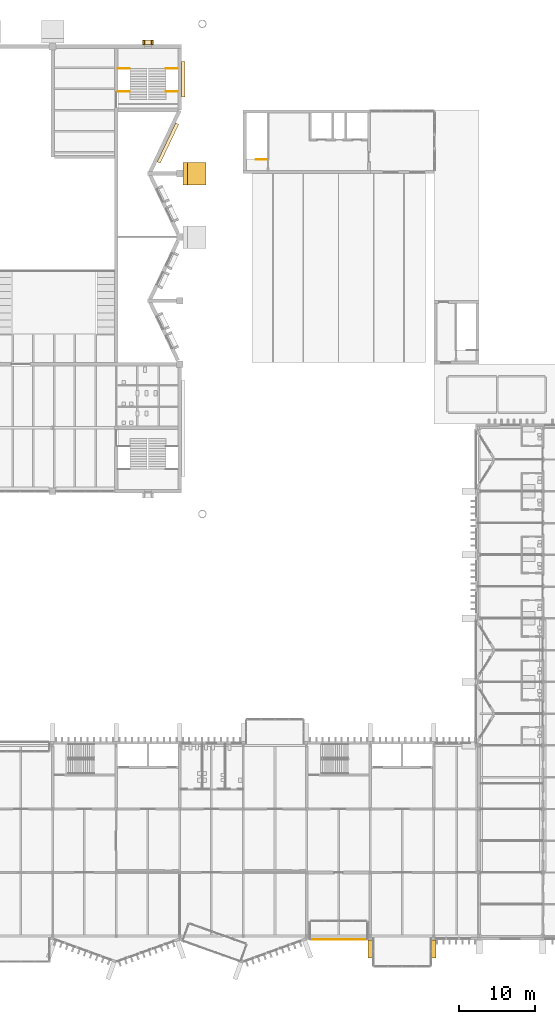
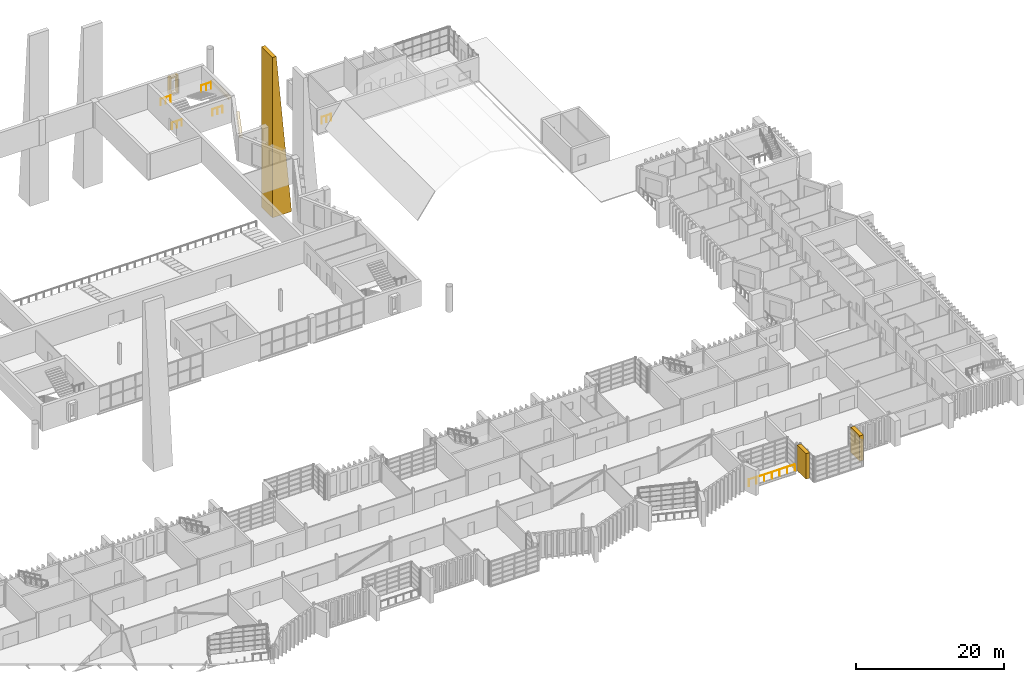
# One storey, part 96 of 100: 9 coverings, 6 railings.
"""IFC4 building model written with IfcOpenShell, lengths in metres."""

from ifc_helpers import new_model, si_unit, direction, frame, origin, origin_2d, place, context, subcontext, project, spatial, polyline, rectangle, circle, outline, extrude, material, type_object, element, save


model = new_model("IFC4")

# Units and contexts
model_context = context("Model", 3, precision=1e-05, world=origin(), true_north=direction((0.0, 1.0)))
body_context = subcontext(model_context, "Body", "Model", "MODEL_VIEW")
ifc_project = project(units=[si_unit("LENGTHUNIT", "METRE"), si_unit("AREAUNIT", "SQUARE_METRE"), si_unit("VOLUMEUNIT", "CUBIC_METRE"), si_unit("PLANEANGLEUNIT", "RADIAN"), si_unit("MASSUNIT", "GRAM", prefix="KILO")], contexts=[model_context])

# Site, building, storey
site_placement = place(None, origin())
site = spatial("IfcSite", under=ifc_project, at=site_placement, CompositionType="ELEMENT")
building_placement = place(site_placement, origin())
building = spatial("IfcBuilding", under=site, at=building_placement, Name="Cresset Court Congress Hotel", CompositionType="ELEMENT")
storey_placement = place(building_placement, frame((0.0, 0.0, 10.199951171875)))
storey = spatial("IfcBuildingStorey", under=building, at=storey_placement, Name="L02", CompositionType="ELEMENT", Elevation=10.199951171875)

# Railings
ifc_material_1 = material(Name="Steel and laminated glass", Category="steel")
railing_type_1 = type_object("IfcRailingType", Name="Guard 1100 steel and glass", PredefinedType="GUARDRAIL", material=ifc_material_1)
for number, where, name in (
    (1, (109.449951171875, 111.64990234375, 0.0), "Guard CC-C4L02a"),
    (2, (115.800048828125, 111.64990234375, 0.0), "Guard CC-C4L02b"),
    (3, (109.449951171875, 114.679931640625, 2.10009765625), "Guard CC-C4L02a"),
    (4, (115.800048828125, 114.679931640625, 2.10009765625), "Guard CC-C4L02b"),
):
    element("IfcRailing", number, at=place(storey_placement, frame(where)), inside=storey, type_object=railing_type_1, Name=name, PredefinedType="GUARDRAIL", context=body_context, shape_type="SweptSolid", body=[
        extrude(circle(Radius=0.02490234375, at=origin_2d()), frame((0.0, 0.0, 1.0751953125), z_axis=(1.0, 0.0, 0.0), x_axis=(0.0, 1.0, 0.0)), (0.0, 0.0, 1.0), 1.550048828125),
        extrude(circle(Radius=0.02001953125, at=origin_2d()), origin(), (0.0, 0.0, 1.0), 1.050048828125),
        extrude(circle(Radius=0.02001953125, at=origin_2d()), frame((0.77490234375, 0.0, 0.0)), (0.0, 0.0, 1.0), 1.050048828125),
        extrude(circle(Radius=0.02001953125, at=origin_2d()), frame((1.550048828125, 0.0, 0.0)), (0.0, 0.0, 1.0), 1.050048828125),
    ])
ifc_material_2 = material(Name="Steel and laminated glass", Category="steel")
railing_type_2 = type_object("IfcRailingType", Name="Guard 1100 steel and glass external", PredefinedType="GUARDRAIL", material=ifc_material_2)
railing_1_placement = place(storey_placement, frame((135.0, -0.449951171875, 0.0)))
element("IfcRailing", 5, at=railing_1_placement, inside=storey, type_object=railing_type_2, Name="Guard to recess S0219", PredefinedType="GUARDRAIL", context=body_context, shape_type="SweptSolid", body=[
    extrude(circle(Radius=0.02392578125, at=origin_2d()), frame((0.0, 0.0, 1.076171875), z_axis=(1.0, 0.0, 0.0), x_axis=(0.0, 1.0, 0.0)), (0.0, 0.0, 1.0), 7.199951171875),
    extrude(circle(Radius=0.02099609375, at=origin_2d()), origin(), (0.0, 0.0, 1.0), 1.052001953125),
    extrude(circle(Radius=0.02099609375, at=origin_2d()), frame((1.199951171875, 0.0, 0.0)), (0.0, 0.0, 1.0), 1.052001953125),
    extrude(circle(Radius=0.02099609375, at=origin_2d()), frame((2.39990234375, 0.0, 0.0)), (0.0, 0.0, 1.0), 1.052001953125),
    extrude(circle(Radius=0.02099609375, at=origin_2d()), frame((3.60009765625, 0.0, 0.0)), (0.0, 0.0, 1.0), 1.052001953125),
    extrude(circle(Radius=0.02099609375, at=origin_2d()), frame((4.800048828125, 0.0, 0.0)), (0.0, 0.0, 1.0), 1.052001953125),
    extrude(circle(Radius=0.02099609375, at=origin_2d()), frame((6.0, 0.0, 0.0)), (0.0, 0.0, 1.0), 1.052001953125),
    extrude(circle(Radius=0.02099609375, at=origin_2d()), frame((7.199951171875, 0.0, 0.0)), (0.0, 0.0, 1.0), 1.052001953125),
])

# Coverings
ifc_material_3 = material(Name="Precast concrete C50", Category="concrete")
covering_type_1 = type_object("IfcCoveringType", Name="Precast reveal band 450x400", PredefinedType="CLADDING", material=ifc_material_3)
covering_1_placement = place(storey_placement, frame((116.0498046875, 104.839599609375, 2.35009765625), z_axis=(0.0, 0.0, 1.0), x_axis=(-0.429932870312, -0.902860856957, 0.0)))
element("IfcCovering", 6, at=covering_1_placement, inside=storey, type_object=covering_type_1, Name="Reveal band E.L02.04a0.1", PredefinedType="CLADDING", context=body_context, shape_type="SweptSolid", body=[
    extrude(rectangle(XDim=5.696044921875, YDim=0.449951171875, at=origin_2d()), origin(), (0.0, 0.0, 1.0), 0.39990234375),
])
covering_2_placement = place(storey_placement, frame((118.074951171875, 113.27490234375, 2.35009765625), z_axis=(0.0, 0.0, 1.0), x_axis=(0.0, -1.0, 0.0)))
element("IfcCovering", 7, at=covering_2_placement, inside=storey, type_object=covering_type_1, Name="Reveal band E.L02.04a1.1", PredefinedType="CLADDING", context=body_context, shape_type="SweptSolid", body=[
    extrude(rectangle(XDim=4.75, YDim=0.449951171875, at=origin_2d()), origin(), (0.0, 0.0, 1.0), 0.39990234375),
])
ifc_material_4 = material(Name="Precast concrete C50", Category="concrete")
covering_type_2 = type_object("IfcCoveringType", Name="Precast reveal frame member 250x600", PredefinedType="CLADDING", material=ifc_material_4)
for number, where, z_axis, x_axis, name in (
    (8, (112.824951171875, 118.14990234375, 0.650146484375), (0.0, 0.0, 1.0), (1.0, 0.0, 0.0), "Reveal frame NC-02-C4a"),
    (9, (113.97509765625, 118.14990234375, 0.650146484375), (0.0, 0.0, 1.0), (1.0, 0.0, 0.0), "Reveal frame NC-02-C4b"),
):
    element("IfcCovering", number, at=place(storey_placement, frame(where, z_axis=z_axis, x_axis=x_axis)), inside=storey, type_object=covering_type_2, Name=name, PredefinedType="CLADDING", context=body_context, shape_type="SweptSolid", body=[
        extrude(rectangle(XDim=0.25, YDim=0.60009765625, at=origin_2d()), origin(), (0.0, 0.0, 1.0), 2.89990234375),
    ])
for number, where, z_axis, x_axis, name in (
    (10, (113.39990234375, 118.14990234375, 3.300048828125), (0.0, 0.0, 1.0), (1.0, 0.0, 0.0), "Reveal frame NC-02-C4c"),
    (11, (113.39990234375, 118.14990234375, 0.650146484375), (0.0, 0.0, 1.0), (1.0, 0.0, 0.0), "Reveal frame NC-02-C4d"),
):
    element("IfcCovering", number, at=place(storey_placement, frame(where, z_axis=z_axis, x_axis=x_axis)), inside=storey, type_object=covering_type_2, Name=name, PredefinedType="CLADDING", context=body_context, shape_type="SweptSolid", body=[
        extrude(rectangle(XDim=0.89990234375, YDim=0.60009765625, at=origin_2d()), origin(), (0.0, 0.0, 1.0), 0.25),
    ])
ifc_material_5 = material(Name="Precast concrete C50", Category="concrete")
covering_type_3 = type_object("IfcCoveringType", Name="Precast stone pier 600x2400", PredefinedType="CLADDING", material=ifc_material_5)
for number, where, z_axis, x_axis, name in (
    (12, (142.800048828125, -1.699951171875, 0.0), (0.0, 0.0, 1.0), (1.0, 0.0, 0.0), "Pier S02-16"),
    (13, (151.199951171875, -1.699951171875, 0.0), (0.0, 0.0, 1.0), (1.0, 0.0, 0.0), "Pier S02-17"),
):
    element("IfcCovering", number, at=place(storey_placement, frame(where, z_axis=z_axis, x_axis=x_axis)), inside=storey, type_object=covering_type_3, Name=name, PredefinedType="CLADDING", context=body_context, shape_type="SweptSolid", body=[
        extrude(rectangle(XDim=0.60009765625, YDim=2.39990234375, at=origin_2d()), origin(), (0.0, 0.0, 1.0), 4.199951171875),
    ])
ifc_material_6 = material(Name="Board-marked concrete C50", Category="concrete")
covering_type_4 = type_object("IfcCoveringType", Name="Raked buttress 3000", PredefinedType="CLADDING", material=ifc_material_6)
covering_3_placement = place(storey_placement, frame((0.0, 100.800048828125, -10.199951171875)))
element("IfcCovering", 14, at=covering_3_placement, inside=storey, type_object=covering_type_4, Name="Buttress CB-E4", PredefinedType="CLADDING", context=body_context, shape_type="SweptSolid", body=[
    extrude(outline(polyline([(118.050048828125, 0.0), (121.050048828125, 0.0), (118.64990234375, 26.518798828125), (118.050048828125, 26.518798828125), (118.050048828125, 0.0)])), frame((0.0, 1.5, 0.0), z_axis=(0.0, -1.0, 0.0), x_axis=(1.0, 0.0, 0.0)), (0.0, 0.0, 1.0), 3.0),
])

# Railing
ifc_material_7 = material(Name="Stainless steel", Category="steel")
railing_type_3 = type_object("IfcRailingType", Name="Stair guard 1100 internal", PredefinedType="GUARDRAIL", material=ifc_material_7)
railing_2_placement = place(storey_placement, frame((129.14990234375, 102.64990234375, 0.0)))
element("IfcRailing", 15, at=railing_2_placement, inside=storey, type_object=railing_type_3, Name="L02 ST-E1 top well guard 1", PredefinedType="GUARDRAIL", context=body_context, shape_type="SweptSolid", body=[
    extrude(circle(Radius=0.02392578125, at=origin_2d()), frame((0.0, 0.0, 1.076171875), z_axis=(-1.0, 0.0, 0.0), x_axis=(0.0, -1.0, 0.0)), (0.0, 0.0, 1.0), 1.449951171875),
    extrude(circle(Radius=0.02099609375, at=origin_2d()), origin(), (0.0, 0.0, 1.0), 1.052001953125),
    extrude(circle(Radius=0.02099609375, at=origin_2d()), frame((-0.72509765625, 0.0, 0.0)), (0.0, 0.0, 1.0), 1.052001953125),
    extrude(circle(Radius=0.02099609375, at=origin_2d()), frame((-1.449951171875, 0.0, 0.0)), (0.0, 0.0, 1.0), 1.052001953125),
])

save(model, "model.ifc")
